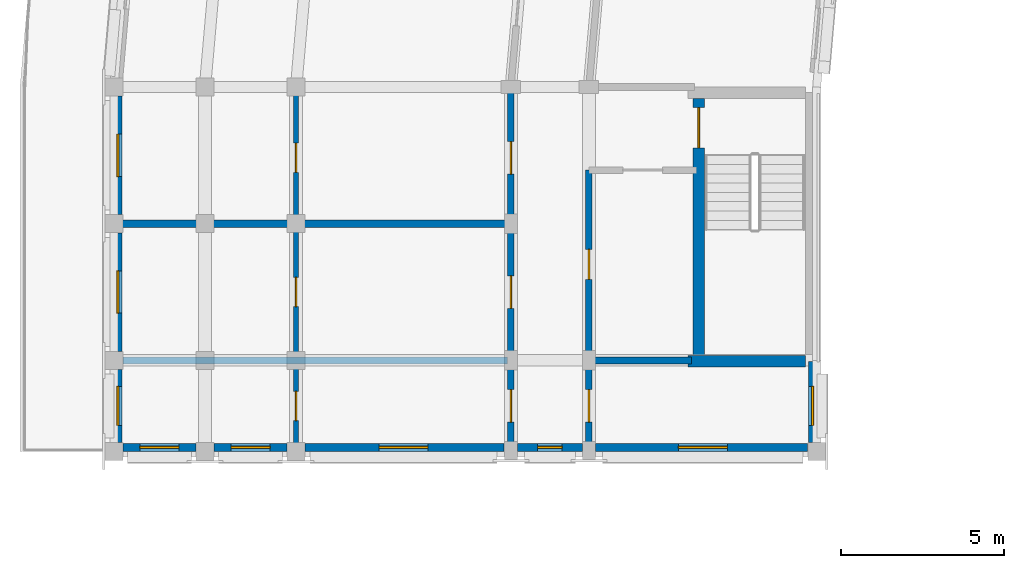
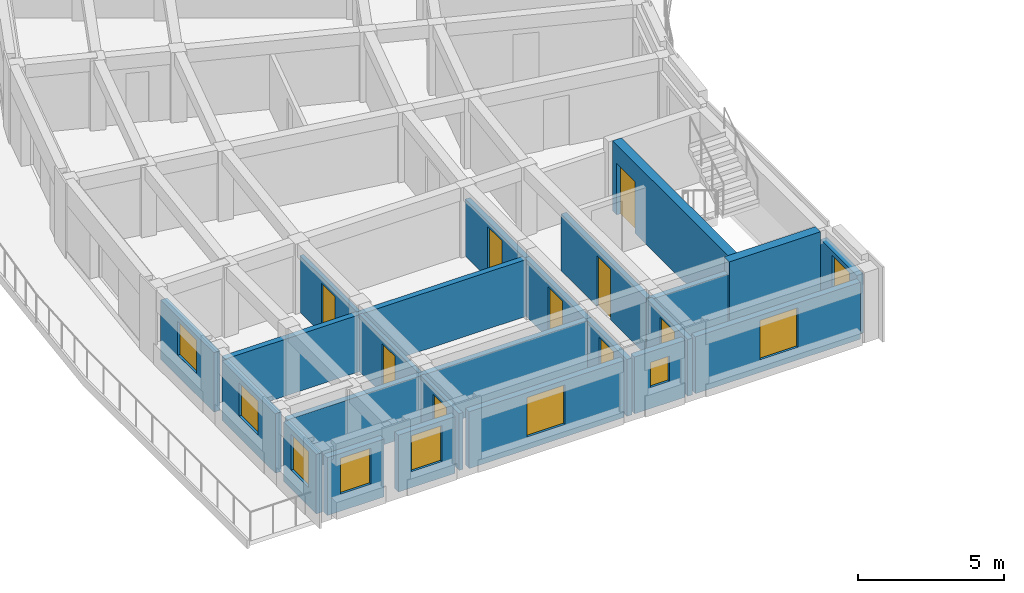
# One storey, part 10 of 23: 22 walls, 9 doors, 9 windows, 18 openings.
"""IFC4 building model written with IfcOpenShell, lengths in metres."""

import ifcopenshell
import ifcopenshell.guid

model = None  # the IFC model being written
_history = None  # IfcOwnerHistory: only IFC2X3 demands one
_inside = {}  # id of a spatial element -> (the spatial element, [elements in it])
_under = {}  # id of a project, library or spatial element -> (it, [spatial elements below it])
_declared = {}  # id of a project -> (the project, [libraries it declares])
_typed = {}  # id of a type object -> (the type object, [elements of that type])
_made_of = {}  # id of a material, layer set ... -> (it, [elements and type objects made of it])


def new_model(schema):
    """Start an empty IFC model of exactly this schema.

    Asked for "IFC4X3", IfcOpenShell would pick the latest addendum, in which some entities
    have other attributes; the version numbers below select the first issue.
    IFC2X3 requires an IfcOwnerHistory on every rooted entity: one is made here for all.
    """
    global model, _history
    if schema == "IFC4X3":
        model = ifcopenshell.file(schema_version=(4, 3, 0, 0))
    else:
        model = ifcopenshell.file(schema=schema)
    _inside.clear()
    _under.clear()
    _declared.clear()
    _typed.clear()
    _made_of.clear()
    _history = None
    if model.schema == "IFC2X3":
        org = make("IfcOrganization", Name="unknown")
        user = make(
            "IfcPersonAndOrganization",
            ThePerson=make("IfcPerson", FamilyName="unknown"),
            TheOrganization=org,
        )
        app = make(
            "IfcApplication",
            ApplicationDeveloper=org,
            Version="unknown",
            ApplicationFullName="unknown",
            ApplicationIdentifier="unknown",
        )
        _history = make(
            "IfcOwnerHistory",
            OwningUser=user,
            OwningApplication=app,
            ChangeAction="ADDED",
            CreationDate=0,
        )
    return model


def make(cls, **values):
    """One entity of the class cls with the attributes given. An attribute that is None is left unset."""
    return model.create_entity(
        cls, **{name: value for name, value in values.items() if value is not None}
    )


def rooted(cls, **values):
    """An entity with a GlobalId (a new one), such as an element, a storey or a relation."""
    return make(cls, GlobalId=ifcopenshell.guid.new(), OwnerHistory=_history, **values)


def si_unit(unit_type, name, prefix=None):
    """IfcSIUnit, for example si_unit("LENGTHUNIT", "METRE", prefix="MILLI")."""
    return make("IfcSIUnit", UnitType=unit_type, Prefix=prefix, Name=name)


def assignment(units):
    """IfcUnitAssignment: the units of a project."""
    return None if units is None else make("IfcUnitAssignment", Units=units)


def point(xyz):
    """IfcCartesianPoint."""
    return None if xyz is None else make("IfcCartesianPoint", Coordinates=xyz)


def direction(xyz):
    """IfcDirection."""
    return None if xyz is None else make("IfcDirection", DirectionRatios=xyz)


def frame(location, z_axis=None, x_axis=None):
    """IfcAxis2Placement3D, a coordinate frame: its origin and axes. An axis left out is left unset."""
    return make(
        "IfcAxis2Placement3D",
        Location=point(location),
        Axis=direction(z_axis),
        RefDirection=direction(x_axis),
    )


def frame_2d(location, x_axis=None):
    """IfcAxis2Placement2D, a coordinate frame in the plane: its origin and x axis."""
    return make(
        "IfcAxis2Placement2D", Location=point(location), RefDirection=direction(x_axis)
    )


def origin():
    """The frame at (0, 0, 0) with its axes left unset."""
    return frame((0.0, 0.0, 0.0))


def place(relative_to, where):
    """IfcLocalPlacement: puts the frame where relative to a parent placement (None: the world)."""
    return make(
        "IfcLocalPlacement", PlacementRelTo=relative_to, RelativePlacement=where
    )


def context(
    kind, dimensions, precision=None, world=None, true_north=None, identifier=None
):
    """IfcGeometricRepresentationContext, for example the 3D "Model" context."""
    return make(
        "IfcGeometricRepresentationContext",
        ContextIdentifier=identifier,
        ContextType=kind,
        CoordinateSpaceDimension=dimensions,
        Precision=precision,
        WorldCoordinateSystem=world,
        TrueNorth=true_north,
    )


def subcontext(parent, identifier, kind, view, scale=None):
    """IfcGeometricRepresentationSubContext, for example "Body" below "Model"."""
    return make(
        "IfcGeometricRepresentationSubContext",
        ContextIdentifier=identifier,
        ContextType=kind,
        ParentContext=parent,
        TargetScale=scale,
        TargetView=view,
    )


def project(units=None, contexts=None):
    """IfcProject with its units and contexts."""
    return rooted(
        "IfcProject",
        Name="project",
        RepresentationContexts=contexts,
        UnitsInContext=assignment(units),
    )


def spatial(cls, under=None, at=None, **own):
    """A site, building, storey or space (cls), placed at a placement, below another one or the project."""
    s = rooted(cls, ObjectPlacement=at, **own)
    if under is not None:
        _under.setdefault(under.id(), (under, []))[1].append(s)
    return s


def profile(cls, at=None, kind="AREA", **sizes):
    """A parametric profile (cls). Its sizes go by their IFC names, for example OverallWidth=200.0."""
    return make(cls, ProfileType=kind, Position=at, **sizes)


def rectangle(**sizes):
    """IfcRectangleProfileDef."""
    return profile("IfcRectangleProfileDef", **sizes)


def extrude(swept, where, along, depth):
    """IfcExtrudedAreaSolid: the profile swept, set in the frame where, extruded along a direction by depth."""
    return make(
        "IfcExtrudedAreaSolid",
        SweptArea=swept,
        Position=where,
        ExtrudedDirection=direction(along),
        Depth=depth,
    )


def shape(context_of_items, identifier, shape_type, items):
    """IfcShapeRepresentation: the items that make up one representation, for example the "Body"."""
    return make(
        "IfcShapeRepresentation",
        ContextOfItems=context_of_items,
        RepresentationIdentifier=identifier,
        RepresentationType=shape_type,
        Items=items,
    )


def material(Name=None, Category=None):
    """IfcMaterial."""
    return make("IfcMaterial", Name=Name, Category=Category)


def layer(
    of_material, thickness, ventilated=None, Name=None, Category=None, Priority=None
):
    """IfcMaterialLayer: one layer of a wall or slab, of a material (None: an air gap)."""
    return make(
        "IfcMaterialLayer",
        Material=of_material,
        LayerThickness=thickness,
        IsVentilated=ventilated,
        Name=Name,
        Category=Category,
        Priority=Priority,
    )


def layer_set(layers, Name=None):
    """IfcMaterialLayerSet."""
    return make("IfcMaterialLayerSet", MaterialLayers=layers, LayerSetName=Name)


def made_of(thing, what):
    """Note that an element or type object is made of a material, layer set ...; save() writes the relation."""
    if what is not None:
        _made_of.setdefault(what.id(), (what, []))[1].append(thing)
    return thing


def type_object(cls, material=None, **own):
    """A type object (cls), such as IfcWallType, which elements share."""
    return made_of(rooted(cls, **own), material)


def element(
    cls,
    number,
    at=None,
    inside=None,
    cuts=None,
    type_object=None,
    material=None,
    context=None,
    identifier="Body",
    shape_type=None,
    held_by="IfcProductDefinitionShape",
    body=None,
    shapes=None,
    **own,
):
    """One element of the class cls, such as IfcWall. Its Tag is "e" and its number.

    at: its placement. inside: the storey or other place that contains it. cuts: it is an
    opening in that element (IfcRelVoidsElement). A single representation is given by context,
    identifier, shape_type and body (its items); several are given by shapes. held_by: the class
    of the entity that holds the representations. save() writes the other relations.
    """
    e = rooted(cls, Tag="e%d" % number, ObjectPlacement=at, **own)
    if body is not None:
        shapes = [shape(context, identifier, shape_type, body)]
    if shapes is not None:
        e.Representation = make(held_by, Representations=shapes)
    if inside is not None:
        _inside.setdefault(inside.id(), (inside, []))[1].append(e)
    if cuts is not None:
        rooted(
            "IfcRelVoidsElement", RelatingBuildingElement=cuts, RelatedOpeningElement=e
        )
    if type_object is not None:
        _typed.setdefault(type_object.id(), (type_object, []))[1].append(e)
    return made_of(e, material)


def fill(opening, filler):
    """IfcRelFillsElement: the door or window that sits in an opening."""
    return rooted(
        "IfcRelFillsElement",
        RelatingOpeningElement=opening,
        RelatedBuildingElement=filler,
    )


def aggregate(whole, parts):
    """IfcRelAggregates: a whole, such as a stair, and the parts it consists of."""
    return rooted("IfcRelAggregates", RelatingObject=whole, RelatedObjects=parts)


def save(model, path):
    """Write the relations noted so far, then the file.

    IfcRelAggregates (storeys below a building ...), IfcRelContainedInSpatialStructure (elements
    in a storey), IfcRelDefinesByType, IfcRelAssociatesMaterial and IfcRelDeclares: one each for
    every whole, place, type object, material and project.
    """
    for whole, parts in _under.values():
        aggregate(whole, parts)
    for where, things in _inside.values():
        rooted(
            "IfcRelContainedInSpatialStructure",
            RelatedElements=things,
            RelatingStructure=where,
        )
    for kind, things in _typed.values():
        rooted("IfcRelDefinesByType", RelatedObjects=things, RelatingType=kind)
    for what, things in _made_of.values():
        rooted("IfcRelAssociatesMaterial", RelatedObjects=things, RelatingMaterial=what)
    for by, libraries in _declared.values():
        rooted("IfcRelDeclares", RelatingContext=by, RelatedDefinitions=libraries)
    model.write(path)


model = new_model("IFC4")

# Units and contexts
model_context = context("Model", 3, precision=1e-05, world=origin(), true_north=direction((0.0, 1.0)))
body_context = subcontext(model_context, "Body", "Model", "MODEL_VIEW")
ifc_project = project(units=[si_unit("LENGTHUNIT", "METRE"), si_unit("AREAUNIT", "SQUARE_METRE"), si_unit("VOLUMEUNIT", "CUBIC_METRE"), si_unit("PLANEANGLEUNIT", "RADIAN"), si_unit("MASSUNIT", "GRAM", prefix="KILO")], contexts=[model_context])

# Site, building, storey
site_placement = place(None, origin())
site = spatial("IfcSite", under=ifc_project, at=site_placement, CompositionType="ELEMENT")
building_placement = place(site_placement, origin())
building = spatial("IfcBuilding", under=site, at=building_placement, Name="Kiranvali Square Residences", CompositionType="ELEMENT")
storey_placement = place(building_placement, frame((0.0, 0.0, 43.35009765625)))
storey = spatial("IfcBuildingStorey", under=building, at=storey_placement, Name="L13", CompositionType="ELEMENT", Elevation=43.35009765625)

# Wall, opening, door
ifc_material_1 = material(Name="Autoclaved aerated concrete blockwork masonry", Category="masonry")
ifc_layer_1 = layer(ifc_material_1, 0.199951171875)
ifc_layer_set_1 = layer_set([ifc_layer_1], Name="Autoclaved aerated concrete blockwork masonry")
wall_type_1 = type_object("IfcWallType", Name="WL-COR-200", PredefinedType="STANDARD", material=ifc_layer_set_1)
wall_1_placement = place(storey_placement, frame((22.39990234375, 85.25, 0.0), z_axis=(0.0, 0.0, 1.0), x_axis=(0.0, -1.0, 0.0)))
wall_1 = element("IfcWall", 1, at=wall_1_placement, inside=storey, type_object=wall_type_1, Name="L13 architectural wall WL-L13-A-S3-COR", PredefinedType="STANDARD", context=body_context, shape_type="SweptSolid", body=[
    extrude(rectangle(XDim=5.800048828125, YDim=0.199951171875, at=frame_2d((2.89990234375, 0.0))), origin(), (0.0, 0.0, 1.0), 2.371826171875),
])
opening_1_placement = place(wall_1_placement, frame((2.43994140625, 0.0, 0.0)))
opening_1 = element("IfcOpeningElement", 2, at=opening_1_placement, cuts=wall_1, Name="Opening FD-SVC-120", PredefinedType="OPENING", context=body_context, shape_type="SweptSolid", body=[
    extrude(rectangle(XDim=0.919921875, YDim=2.10009765625, at=frame_2d((0.4599609375, 1.050048828125))), frame((0.0, 0.10986328125, 0.0), z_axis=(0.0, -1.0, 0.0), x_axis=(1.0, 0.0, 0.0)), (0.0, 0.0, 1.0), 0.219970703125),
])
ifc_material_2 = material(Name="Fire-rated acoustic hardwood and mineral-core door assembly", Category="wood")
door_type_1 = type_object("IfcDoorType", Name="DR-SVC-900", OperationType="NOTDEFINED", PredefinedType="DOOR", material=ifc_material_2)
door_1_placement = place(opening_1_placement, frame((0.919921875, 0.0, 0.0), z_axis=(0.0, 0.0, 1.0), x_axis=(-1.0, 0.0, 0.0)))
door_1 = element("IfcDoor", 3, at=door_1_placement, inside=storey, type_object=door_type_1, Name="L13 door DR-L13-0802 (DR-SVC-900)", OperationType="SINGLE_SWING_RIGHT", OverallHeight=2.10009765625, OverallWidth=0.919921875, PredefinedType="DOOR", context=body_context, shape_type="SweptSolid", body=[
    extrude(rectangle(XDim=0.919921875, YDim=2.10009765625, at=frame_2d((0.4599609375, 1.050048828125))), frame((0.0, 0.02490234375, 0.0), z_axis=(0.0, -1.0, 0.0), x_axis=(1.0, 0.0, 0.0)), (0.0, 0.0, 1.0), 0.050048828125),
])
fill(opening_1, door_1)

wall_2_placement = place(storey_placement, frame((20.0, 87.64990234375, 0.0), z_axis=(0.0, 0.0, 1.0), x_axis=(0.0, -1.0, 0.0)))
wall_2 = element("IfcWall", 4, at=wall_2_placement, inside=storey, type_object=wall_type_1, Name="L13 architectural wall WL-L13-A-A2CF-C0", PredefinedType="STANDARD", context=body_context, shape_type="SweptSolid", body=[
    extrude(rectangle(XDim=4.0498046875, YDim=0.199951171875, at=frame_2d((2.02490234375, 0.0))), origin(), (0.0, 0.0, 1.0), 2.371826171875),
])
opening_2_placement = place(wall_2_placement, frame((1.52490234375, 0.0, 0.0)))
opening_2 = element("IfcOpeningElement", 5, at=opening_2_placement, cuts=wall_2, Name="Opening FD-APT-60", PredefinedType="OPENING", context=body_context, shape_type="SweptSolid", body=[
    extrude(rectangle(XDim=1.0, YDim=2.14990234375, at=frame_2d((0.5, 1.074951171875))), frame((0.0, 0.10986328125, 0.0), z_axis=(0.0, -1.0, 0.0), x_axis=(1.0, 0.0, 0.0)), (0.0, 0.0, 1.0), 0.219970703125),
])
door_type_2 = type_object("IfcDoorType", Name="DR-APT-1000", OperationType="NOTDEFINED", PredefinedType="DOOR", material=ifc_material_2)
door_2_placement = place(opening_2_placement, origin())
door_2 = element("IfcDoor", 6, at=door_2_placement, inside=storey, type_object=door_type_2, Name="L13 door DR-L13-0841 (DR-APT-1000)", OperationType="SINGLE_SWING_LEFT", OverallHeight=2.14990234375, OverallWidth=1.0, PredefinedType="DOOR", context=body_context, shape_type="SweptSolid", body=[
    extrude(rectangle(XDim=1.0, YDim=2.14990234375, at=frame_2d((0.5, 1.074951171875))), frame((0.0, 0.02490234375, 0.0), z_axis=(0.0, -1.0, 0.0), x_axis=(1.0, 0.0, 0.0)), (0.0, 0.0, 1.0), 0.050048828125),
])
fill(opening_2, door_2)

wall_3_placement = place(storey_placement, frame((20.0, 83.60009765625, 0.0), z_axis=(0.0, 0.0, 1.0), x_axis=(0.0, -1.0, 0.0)))
wall_3 = element("IfcWall", 7, at=wall_3_placement, inside=storey, type_object=wall_type_1, Name="L13 architectural wall WL-L13-A-A2CF-C1", PredefinedType="STANDARD", context=body_context, shape_type="SweptSolid", body=[
    extrude(rectangle(XDim=4.2001953125, YDim=0.199951171875, at=frame_2d((2.10009765625, 0.0))), origin(), (0.0, 0.0, 1.0), 2.371826171875),
])
opening_3_placement = place(wall_3_placement, frame((1.60009765625, 0.0, 0.0)))
opening_3 = element("IfcOpeningElement", 8, at=opening_3_placement, cuts=wall_3, Name="Opening FD-APT-60", PredefinedType="OPENING", context=body_context, shape_type="SweptSolid", body=[
    extrude(rectangle(XDim=1.0, YDim=2.14990234375, at=frame_2d((0.5, 1.074951171875))), frame((0.0, 0.10986328125, 0.0), z_axis=(0.0, -1.0, 0.0), x_axis=(1.0, 0.0, 0.0)), (0.0, 0.0, 1.0), 0.219970703125),
])
door_3_placement = place(opening_3_placement, origin())
door_3 = element("IfcDoor", 9, at=door_3_placement, inside=storey, type_object=door_type_2, Name="L13 door DR-L13-0843 (DR-APT-1000)", OperationType="SINGLE_SWING_LEFT", OverallHeight=2.14990234375, OverallWidth=1.0, PredefinedType="DOOR", context=body_context, shape_type="SweptSolid", body=[
    extrude(rectangle(XDim=1.0, YDim=2.14990234375, at=frame_2d((0.5, 1.074951171875))), frame((0.0, 0.02490234375, 0.0), z_axis=(0.0, -1.0, 0.0), x_axis=(1.0, 0.0, 0.0)), (0.0, 0.0, 1.0), 0.050048828125),
])
fill(opening_3, door_3)

wall_4_placement = place(storey_placement, frame((22.39990234375, 79.39990234375, 0.0), z_axis=(0.0, 0.0, 1.0), x_axis=(0.0, -1.0, 0.0)))
wall_4 = element("IfcWall", 10, at=wall_4_placement, inside=storey, type_object=wall_type_1, Name="L13 architectural wall WL-L13-A-A2CI-0", PredefinedType="STANDARD", context=body_context, shape_type="SweptSolid", body=[
    extrude(rectangle(XDim=2.7998046875, YDim=0.199951171875, at=frame_2d((1.39990234375, 0.0))), origin(), (0.0, 0.0, 1.0), 2.371826171875),
])
opening_4_placement = place(wall_4_placement, frame((0.89990234375, 0.0, 0.0)))
opening_4 = element("IfcOpeningElement", 11, at=opening_4_placement, cuts=wall_4, Name="Opening FD-APT-60", PredefinedType="OPENING", context=body_context, shape_type="SweptSolid", body=[
    extrude(rectangle(XDim=1.0, YDim=2.14990234375, at=frame_2d((0.5, 1.074951171875))), frame((0.0, 0.10986328125, 0.0), z_axis=(0.0, -1.0, 0.0), x_axis=(1.0, 0.0, 0.0)), (0.0, 0.0, 1.0), 0.219970703125),
])
door_4_placement = place(opening_4_placement, origin())
door_4 = element("IfcDoor", 12, at=door_4_placement, inside=storey, type_object=door_type_2, Name="L13 door DR-L13-0845 (DR-APT-1000)", OperationType="SINGLE_SWING_LEFT", OverallHeight=2.14990234375, OverallWidth=1.0, PredefinedType="DOOR", context=body_context, shape_type="SweptSolid", body=[
    extrude(rectangle(XDim=1.0, YDim=2.14990234375, at=frame_2d((0.5, 1.074951171875))), frame((0.0, 0.02490234375, 0.0), z_axis=(0.0, -1.0, 0.0), x_axis=(1.0, 0.0, 0.0)), (0.0, 0.0, 1.0), 0.050048828125),
])
fill(opening_4, door_4)

wall_5_placement = place(storey_placement, frame((20.0, 79.39990234375, 0.0), z_axis=(0.0, 0.0, 1.0), x_axis=(0.0, -1.0, 0.0)))
wall_5 = element("IfcWall", 13, at=wall_5_placement, inside=storey, type_object=wall_type_1, Name="L13 architectural wall WL-L13-A-A2CO-0", PredefinedType="STANDARD", context=body_context, shape_type="SweptSolid", body=[
    extrude(rectangle(XDim=2.7998046875, YDim=0.199951171875, at=frame_2d((1.39990234375, 0.0))), origin(), (0.0, 0.0, 1.0), 2.371826171875),
])
opening_5_placement = place(wall_5_placement, frame((0.89990234375, 0.0, 0.0)))
opening_5 = element("IfcOpeningElement", 14, at=opening_5_placement, cuts=wall_5, Name="Opening FD-APT-60", PredefinedType="OPENING", context=body_context, shape_type="SweptSolid", body=[
    extrude(rectangle(XDim=1.0, YDim=2.14990234375, at=frame_2d((0.5, 1.074951171875))), frame((0.0, 0.10986328125, 0.0), z_axis=(0.0, -1.0, 0.0), x_axis=(1.0, 0.0, 0.0)), (0.0, 0.0, 1.0), 0.219970703125),
])
door_5_placement = place(opening_5_placement, origin())
door_5 = element("IfcDoor", 15, at=door_5_placement, inside=storey, type_object=door_type_2, Name="L13 door DR-L13-0847 (DR-APT-1000)", OperationType="SINGLE_SWING_LEFT", OverallHeight=2.14990234375, OverallWidth=1.0, PredefinedType="DOOR", context=body_context, shape_type="SweptSolid", body=[
    extrude(rectangle(XDim=1.0, YDim=2.14990234375, at=frame_2d((0.5, 1.074951171875))), frame((0.0, 0.02490234375, 0.0), z_axis=(0.0, -1.0, 0.0), x_axis=(1.0, 0.0, 0.0)), (0.0, 0.0, 1.0), 0.050048828125),
])
fill(opening_5, door_5)

# Walls
ifc_layer_2 = layer(ifc_material_1, 0.219970703125)
ifc_layer_set_2 = layer_set([ifc_layer_2], Name="Autoclaved aerated concrete blockwork masonry")
wall_type_2 = type_object("IfcWallType", Name="WL-DEM-220", PredefinedType="STANDARD", material=ifc_layer_set_2)
wall_6_placement = place(storey_placement, frame((19.949951171875, 83.60009765625, 0.0), z_axis=(0.0, 0.0, 1.0), x_axis=(-1.0, 0.0, 0.0)))
element("IfcWall", 16, at=wall_6_placement, inside=storey, type_object=wall_type_2, Name="L13 architectural wall WL-L13-A-A2CF-MID", PredefinedType="STANDARD", context=body_context, shape_type="SweptSolid", body=[
    extrude(rectangle(XDim=11.929931640625, YDim=0.219970703125, at=frame_2d((5.96484375, 0.0))), origin(), (0.0, 0.0, 1.0), 2.371826171875),
])
wall_7_placement = place(storey_placement, frame((25.550048828125, 79.39990234375, 0.0), z_axis=(0.0, 0.0, 1.0), x_axis=(-1.0, 0.0, 0.0)))
element("IfcWall", 17, at=wall_7_placement, inside=storey, type_object=wall_type_2, Name="L13 architectural wall WL-L13-A-A2TI-0", PredefinedType="STANDARD", context=body_context, shape_type="SweptSolid", body=[
    extrude(rectangle(XDim=3.10009765625, YDim=0.219970703125, at=frame_2d((1.550048828125, 0.0))), origin(), (0.0, 0.0, 1.0), 2.371826171875),
])
wall_8_placement = place(storey_placement, frame((19.89990234375, 79.39990234375, 0.0), z_axis=(0.0, 0.0, 1.0), x_axis=(-1.0, 0.0, 0.0)))
element("IfcWall", 18, at=wall_8_placement, inside=storey, type_object=wall_type_2, Name="L13 architectural wall WL-L13-A-A2TO-0", PredefinedType="STANDARD", context=body_context, shape_type="SweptSolid", body=[
    extrude(rectangle(XDim=11.81982421875, YDim=0.219970703125, at=frame_2d((5.909912109375, 0.0))), origin(), (0.0, 0.0, 1.0), 2.371826171875),
])

# Wall, opening, window
ifc_material_3 = material(Name="Breathable lime-rendered clay brick masonry", Category="masonry")
ifc_layer_3 = layer(ifc_material_3, 0.25)
ifc_layer_set_3 = layer_set([ifc_layer_3], Name="Breathable lime-rendered clay brick masonry")
wall_type_3 = type_object("IfcWallType", Name="WL-EXT-250", PredefinedType="STANDARD", material=ifc_layer_set_3)
wall_9_placement = place(storey_placement, frame((7.925048828125, 87.521484375, 0.0), z_axis=(0.0, 0.0, 1.0), x_axis=(0.0, -1.0, 0.0)))
wall_9 = element("IfcWall", 19, at=wall_9_placement, inside=storey, type_object=wall_type_3, Name="L13 exterior wall A-L13-A2O-0", PredefinedType="STANDARD", context=body_context, shape_type="SweptSolid", body=[
    extrude(rectangle(XDim=3.64306640625, YDim=0.25, at=frame_2d((1.821533203125, 0.0))), origin(), (0.0, 0.0, 1.0), 2.47998046875),
])
opening_6_placement = place(wall_9_placement, frame((1.17138671875, 0.0, 0.8798828125)))
opening_6 = element("IfcOpeningElement", 20, at=opening_6_placement, cuts=wall_9, Name="Opening W-23", PredefinedType="OPENING", context=body_context, shape_type="SweptSolid", body=[
    extrude(rectangle(XDim=1.300048828125, YDim=1.39990234375, at=frame_2d((0.64990234375, 0.699951171875))), frame((0.0, 0.135009765625, 0.0), z_axis=(0.0, -1.0, 0.0), x_axis=(1.0, 0.0, 0.0)), (0.0, 0.0, 1.0), 0.27001953125),
])
ifc_material_4 = material(Name="Solar-control low-e double glazing", Category="glass")
window_type_1 = type_object("IfcWindowType", Name="WIN-COR-1300x1400", PartitioningType="DOUBLE_PANEL_HORIZONTAL", PredefinedType="WINDOW", material=ifc_material_4)
window_1_placement = place(opening_6_placement, origin())
window_1 = element("IfcWindow", 21, at=window_1_placement, inside=storey, type_object=window_type_1, Name="L13 recessed window A-L13-A2O-0", OverallHeight=1.39990234375, OverallWidth=1.300048828125, PartitioningType="DOUBLE_PANEL_HORIZONTAL", PredefinedType="WINDOW", context=body_context, shape_type="SweptSolid", body=[
    extrude(rectangle(XDim=1.300048828125, YDim=1.39990234375, at=frame_2d((0.64990234375, 0.699951171875))), frame((0.0, 0.030029296875, 0.0), z_axis=(0.0, -1.0, 0.0), x_axis=(1.0, 0.0, 0.0)), (0.0, 0.0, 1.0), 0.06005859375),
])
fill(opening_6, window_1)

wall_10_placement = place(storey_placement, frame((7.925048828125, 83.321533203125, 0.0), z_axis=(0.0, 0.0, 1.0), x_axis=(0.0, -1.0, 0.0)))
wall_10 = element("IfcWall", 22, at=wall_10_placement, inside=storey, type_object=wall_type_3, Name="L13 exterior wall A-L13-A2O-1", PredefinedType="STANDARD", context=body_context, shape_type="SweptSolid", body=[
    extrude(rectangle(XDim=3.64306640625, YDim=0.25, at=frame_2d((1.821533203125, 0.0))), origin(), (0.0, 0.0, 1.0), 2.47998046875),
])
opening_7_placement = place(wall_10_placement, frame((1.17138671875, 0.0, 0.8798828125)))
opening_7 = element("IfcOpeningElement", 23, at=opening_7_placement, cuts=wall_10, Name="Opening W-23", PredefinedType="OPENING", context=body_context, shape_type="SweptSolid", body=[
    extrude(rectangle(XDim=1.300048828125, YDim=1.39990234375, at=frame_2d((0.64990234375, 0.699951171875))), frame((0.0, 0.135009765625, 0.0), z_axis=(0.0, -1.0, 0.0), x_axis=(1.0, 0.0, 0.0)), (0.0, 0.0, 1.0), 0.27001953125),
])
window_2_placement = place(opening_7_placement, origin())
window_2 = element("IfcWindow", 24, at=window_2_placement, inside=storey, type_object=window_type_1, Name="L13 recessed window A-L13-A2O-1", OverallHeight=1.39990234375, OverallWidth=1.300048828125, PartitioningType="DOUBLE_PANEL_HORIZONTAL", PredefinedType="WINDOW", context=body_context, shape_type="SweptSolid", body=[
    extrude(rectangle(XDim=1.300048828125, YDim=1.39990234375, at=frame_2d((0.64990234375, 0.699951171875))), frame((0.0, 0.030029296875, 0.0), z_axis=(0.0, -1.0, 0.0), x_axis=(1.0, 0.0, 0.0)), (0.0, 0.0, 1.0), 0.06005859375),
])
fill(opening_7, window_2)

wall_11_placement = place(storey_placement, frame((7.925048828125, 79.12158203125, 0.0), z_axis=(0.0, 0.0, 1.0), x_axis=(0.0, -1.0, 0.0)))
wall_11 = element("IfcWall", 25, at=wall_11_placement, inside=storey, type_object=wall_type_3, Name="L13 exterior wall A-L13-A2O-2", PredefinedType="STANDARD", context=body_context, shape_type="SweptSolid", body=[
    extrude(rectangle(XDim=2.2431640625, YDim=0.25, at=frame_2d((1.12158203125, 0.0))), origin(), (0.0, 0.0, 1.0), 2.47998046875),
])
opening_8_placement = place(wall_11_placement, frame((0.521484375, 0.0, 0.780029296875)))
opening_8 = element("IfcOpeningElement", 26, at=opening_8_placement, cuts=wall_11, Name="Opening W-06", PredefinedType="OPENING", context=body_context, shape_type="SweptSolid", body=[
    extrude(rectangle(XDim=1.199951171875, YDim=1.5, at=frame_2d((0.60009765625, 0.75))), frame((0.0, 0.135009765625, 0.0), z_axis=(0.0, -1.0, 0.0), x_axis=(1.0, 0.0, 0.0)), (0.0, 0.0, 1.0), 0.27001953125),
])
window_type_2 = type_object("IfcWindowType", Name="WIN-RES-1200x1500", PartitioningType="SINGLE_PANEL", PredefinedType="WINDOW", material=ifc_material_4)
window_3_placement = place(opening_8_placement, origin())
window_3 = element("IfcWindow", 27, at=window_3_placement, inside=storey, type_object=window_type_2, Name="L13 recessed window A-L13-A2O-2", OverallHeight=1.5, OverallWidth=1.199951171875, PartitioningType="SINGLE_PANEL", PredefinedType="WINDOW", context=body_context, shape_type="SweptSolid", body=[
    extrude(rectangle(XDim=1.199951171875, YDim=1.5, at=frame_2d((0.60009765625, 0.75))), frame((0.0, 0.030029296875, 0.0), z_axis=(0.0, -1.0, 0.0), x_axis=(1.0, 0.0, 0.0)), (0.0, 0.0, 1.0), 0.06005859375),
])
fill(opening_8, window_3)

wall_12_placement = place(storey_placement, frame((29.27490234375, 79.37158203125, 0.0), z_axis=(0.0, 0.0, 1.0), x_axis=(0.0, -1.0, 0.0)))
wall_12 = element("IfcWall", 28, at=wall_12_placement, inside=storey, type_object=wall_type_3, Name="L13 exterior wall A-L13-A2I-0", PredefinedType="STANDARD", context=body_context, shape_type="SweptSolid", body=[
    extrude(rectangle(XDim=2.4931640625, YDim=0.25, at=frame_2d((1.24658203125, 0.0))), origin(), (0.0, 0.0, 1.0), 2.471923828125),
])
opening_9_placement = place(wall_12_placement, frame((0.771484375, 0.0, 0.77197265625)))
opening_9 = element("IfcOpeningElement", 29, at=opening_9_placement, cuts=wall_12, Name="Opening W-06", PredefinedType="OPENING", context=body_context, shape_type="SweptSolid", body=[
    extrude(rectangle(XDim=1.199951171875, YDim=1.5, at=frame_2d((0.60009765625, 0.75))), frame((0.0, 0.135009765625, 0.0), z_axis=(0.0, -1.0, 0.0), x_axis=(1.0, 0.0, 0.0)), (0.0, 0.0, 1.0), 0.27001953125),
])
window_4_placement = place(opening_9_placement, origin())
window_4 = element("IfcWindow", 30, at=window_4_placement, inside=storey, type_object=window_type_2, Name="L13 recessed window A-L13-A2I-0", OverallHeight=1.5, OverallWidth=1.199951171875, PartitioningType="SINGLE_PANEL", PredefinedType="WINDOW", context=body_context, shape_type="SweptSolid", body=[
    extrude(rectangle(XDim=1.199951171875, YDim=1.5, at=frame_2d((0.60009765625, 0.75))), frame((0.0, 0.030029296875, 0.0), z_axis=(0.0, -1.0, 0.0), x_axis=(1.0, 0.0, 0.0)), (0.0, 0.0, 1.0), 0.06005859375),
])
fill(opening_9, window_4)

wall_13_placement = place(storey_placement, frame((29.12158203125, 76.72509765625, 0.0), z_axis=(0.0, 0.0, 1.0), x_axis=(-1.0, 0.0, 0.0)))
wall_13 = element("IfcWall", 31, at=wall_13_placement, inside=storey, type_object=wall_type_3, Name="L13 exterior wall A-L13-A2END-0", PredefinedType="STANDARD", context=body_context, shape_type="SweptSolid", body=[
    extrude(rectangle(XDim=6.51806640625, YDim=0.25, at=frame_2d((3.259033203125, 0.0))), origin(), (0.0, 0.0, 1.0), 2.371826171875),
])
opening_10_placement = place(wall_13_placement, frame((2.471435546875, 0.0, 0.52197265625)))
opening_10 = element("IfcOpeningElement", 32, at=opening_10_placement, cuts=wall_13, Name="Opening W-05", PredefinedType="OPENING", context=body_context, shape_type="SweptSolid", body=[
    extrude(rectangle(XDim=1.5, YDim=1.64990234375, at=frame_2d((0.75, 0.824951171875))), frame((0.0, 0.135009765625, 0.0), z_axis=(0.0, -1.0, 0.0), x_axis=(1.0, 0.0, 0.0)), (0.0, 0.0, 1.0), 0.27001953125),
])
window_type_3 = type_object("IfcWindowType", Name="WIN-RES-1500x1650", PartitioningType="DOUBLE_PANEL_VERTICAL", PredefinedType="WINDOW", material=ifc_material_4)
window_5_placement = place(opening_10_placement, origin())
window_5 = element("IfcWindow", 33, at=window_5_placement, inside=storey, type_object=window_type_3, Name="L13 recessed window A-L13-A2END-0", OverallHeight=1.64990234375, OverallWidth=1.5, PartitioningType="DOUBLE_PANEL_VERTICAL", PredefinedType="WINDOW", context=body_context, shape_type="SweptSolid", body=[
    extrude(rectangle(XDim=1.5, YDim=1.64990234375, at=frame_2d((0.75, 0.824951171875))), frame((0.0, 0.030029296875, 0.0), z_axis=(0.0, -1.0, 0.0), x_axis=(1.0, 0.0, 0.0)), (0.0, 0.0, 1.0), 0.06005859375),
])
fill(opening_10, window_5)

wall_14_placement = place(storey_placement, frame((22.196533203125, 76.72509765625, 0.0), z_axis=(0.0, 0.0, 1.0), x_axis=(-1.0, 0.0, 0.0)))
wall_14 = element("IfcWall", 34, at=wall_14_placement, inside=storey, type_object=wall_type_3, Name="L13 exterior wall A-L13-A2END-1", PredefinedType="STANDARD", context=body_context, shape_type="SweptSolid", body=[
    extrude(rectangle(XDim=1.992919921875, YDim=0.25, at=frame_2d((0.99658203125, 0.0))), origin(), (0.0, 0.0, 1.0), 2.371826171875),
])
opening_11_placement = place(wall_14_placement, frame((0.62158203125, 0.0, 0.8798828125)))
opening_11 = element("IfcOpeningElement", 35, at=opening_11_placement, cuts=wall_14, Name="Opening W-07", PredefinedType="OPENING", context=body_context, shape_type="SweptSolid", body=[
    extrude(rectangle(XDim=0.75, YDim=1.050048828125, at=frame_2d((0.375, 0.52490234375))), frame((0.0, 0.135009765625, 0.0), z_axis=(0.0, -1.0, 0.0), x_axis=(1.0, 0.0, 0.0)), (0.0, 0.0, 1.0), 0.27001953125),
])
window_type_4 = type_object("IfcWindowType", Name="WIN-WET-750x1050", PartitioningType="SINGLE_PANEL", PredefinedType="WINDOW", material=ifc_material_4)
window_6_placement = place(opening_11_placement, origin())
window_6 = element("IfcWindow", 36, at=window_6_placement, inside=storey, type_object=window_type_4, Name="L13 recessed window A-L13-A2END-1", OverallHeight=1.050048828125, OverallWidth=0.75, PartitioningType="SINGLE_PANEL", PredefinedType="WINDOW", context=body_context, shape_type="SweptSolid", body=[
    extrude(rectangle(XDim=0.75, YDim=1.050048828125, at=frame_2d((0.375, 0.52490234375))), frame((0.0, 0.030029296875, 0.0), z_axis=(0.0, -1.0, 0.0), x_axis=(1.0, 0.0, 0.0)), (0.0, 0.0, 1.0), 0.06005859375),
])
fill(opening_11, window_6)

wall_15_placement = place(storey_placement, frame((19.79638671875, 76.72509765625, 0.0), z_axis=(0.0, 0.0, 1.0), x_axis=(-1.0, 0.0, 0.0)))
wall_15 = element("IfcWall", 37, at=wall_15_placement, inside=storey, type_object=wall_type_3, Name="L13 exterior wall A-L13-A2END-2", PredefinedType="STANDARD", context=body_context, shape_type="SweptSolid", body=[
    extrude(rectangle(XDim=6.117919921875, YDim=0.25, at=frame_2d((3.05908203125, 0.0))), origin(), (0.0, 0.0, 1.0), 2.371826171875),
])
opening_12_placement = place(wall_15_placement, frame((2.346435546875, 0.0, 0.52197265625)))
opening_12 = element("IfcOpeningElement", 38, at=opening_12_placement, cuts=wall_15, Name="Opening W-05", PredefinedType="OPENING", context=body_context, shape_type="SweptSolid", body=[
    extrude(rectangle(XDim=1.5, YDim=1.64990234375, at=frame_2d((0.75, 0.824951171875))), frame((0.0, 0.135009765625, 0.0), z_axis=(0.0, -1.0, 0.0), x_axis=(1.0, 0.0, 0.0)), (0.0, 0.0, 1.0), 0.27001953125),
])
window_7_placement = place(opening_12_placement, origin())
window_7 = element("IfcWindow", 39, at=window_7_placement, inside=storey, type_object=window_type_3, Name="L13 recessed window A-L13-A2END-2", OverallHeight=1.64990234375, OverallWidth=1.5, PartitioningType="DOUBLE_PANEL_VERTICAL", PredefinedType="WINDOW", context=body_context, shape_type="SweptSolid", body=[
    extrude(rectangle(XDim=1.5, YDim=1.64990234375, at=frame_2d((0.75, 0.824951171875))), frame((0.0, 0.030029296875, 0.0), z_axis=(0.0, -1.0, 0.0), x_axis=(1.0, 0.0, 0.0)), (0.0, 0.0, 1.0), 0.06005859375),
])
fill(opening_12, window_7)

wall_16_placement = place(storey_placement, frame((13.12158203125, 76.72509765625, 0.0), z_axis=(0.0, 0.0, 1.0), x_axis=(-1.0, 0.0, 0.0)))
wall_16 = element("IfcWall", 40, at=wall_16_placement, inside=storey, type_object=wall_type_3, Name="L13 exterior wall A-L13-A2END-3", PredefinedType="STANDARD", context=body_context, shape_type="SweptSolid", body=[
    extrude(rectangle(XDim=2.2431640625, YDim=0.25, at=frame_2d((1.12158203125, 0.0))), origin(), (0.0, 0.0, 1.0), 2.371826171875),
])
opening_13_placement = place(wall_16_placement, frame((0.521484375, 0.0, 0.672119140625)))
opening_13 = element("IfcOpeningElement", 41, at=opening_13_placement, cuts=wall_16, Name="Opening W-06", PredefinedType="OPENING", context=body_context, shape_type="SweptSolid", body=[
    extrude(rectangle(XDim=1.199951171875, YDim=1.5, at=frame_2d((0.60009765625, 0.75))), frame((0.0, 0.135009765625, 0.0), z_axis=(0.0, -1.0, 0.0), x_axis=(1.0, 0.0, 0.0)), (0.0, 0.0, 1.0), 0.27001953125),
])
window_8_placement = place(opening_13_placement, origin())
window_8 = element("IfcWindow", 42, at=window_8_placement, inside=storey, type_object=window_type_2, Name="L13 recessed window A-L13-A2END-3", OverallHeight=1.5, OverallWidth=1.199951171875, PartitioningType="SINGLE_PANEL", PredefinedType="WINDOW", context=body_context, shape_type="SweptSolid", body=[
    extrude(rectangle(XDim=1.199951171875, YDim=1.5, at=frame_2d((0.60009765625, 0.75))), frame((0.0, 0.030029296875, 0.0), z_axis=(0.0, -1.0, 0.0), x_axis=(1.0, 0.0, 0.0)), (0.0, 0.0, 1.0), 0.06005859375),
])
fill(opening_13, window_8)

wall_17_placement = place(storey_placement, frame((10.321533203125, 76.72509765625, 0.0), z_axis=(0.0, 0.0, 1.0), x_axis=(-1.0, 0.0, 0.0)))
wall_17 = element("IfcWall", 43, at=wall_17_placement, inside=storey, type_object=wall_type_3, Name="L13 exterior wall A-L13-A2END-4", PredefinedType="STANDARD", context=body_context, shape_type="SweptSolid", body=[
    extrude(rectangle(XDim=2.242919921875, YDim=0.25, at=frame_2d((1.12158203125, 0.0))), origin(), (0.0, 0.0, 1.0), 2.411865234375),
])
opening_14_placement = place(wall_17_placement, frame((0.521484375, 0.0, 0.7119140625)))
opening_14 = element("IfcOpeningElement", 44, at=opening_14_placement, cuts=wall_17, Name="Opening W-06", PredefinedType="OPENING", context=body_context, shape_type="SweptSolid", body=[
    extrude(rectangle(XDim=1.199951171875, YDim=1.5, at=frame_2d((0.60009765625, 0.75))), frame((0.0, 0.135009765625, 0.0), z_axis=(0.0, -1.0, 0.0), x_axis=(1.0, 0.0, 0.0)), (0.0, 0.0, 1.0), 0.27001953125),
])
window_9_placement = place(opening_14_placement, origin())
window_9 = element("IfcWindow", 45, at=window_9_placement, inside=storey, type_object=window_type_2, Name="L13 recessed window A-L13-A2END-4", OverallHeight=1.5, OverallWidth=1.199951171875, PartitioningType="SINGLE_PANEL", PredefinedType="WINDOW", context=body_context, shape_type="SweptSolid", body=[
    extrude(rectangle(XDim=1.199951171875, YDim=1.5, at=frame_2d((0.60009765625, 0.75))), frame((0.0, 0.030029296875, 0.0), z_axis=(0.0, -1.0, 0.0), x_axis=(1.0, 0.0, 0.0)), (0.0, 0.0, 1.0), 0.06005859375),
])
fill(opening_14, window_9)

# Wall, opening, door
ifc_material_5 = material(Name="Acoustic gypsum board drylined partition", Category="gypsum")
ifc_layer_4 = layer(ifc_material_5, 0.14990234375)
ifc_layer_set_4 = layer_set([ifc_layer_4], Name="Acoustic gypsum board drylined partition")
wall_type_4 = type_object("IfcWallType", Name="WL-PRT-150", PredefinedType="PARTITIONING", material=ifc_layer_set_4)
wall_18_placement = place(storey_placement, frame((13.39990234375, 87.570068359375, 0.0), z_axis=(0.0, 0.0, 1.0), x_axis=(0.0, -1.0, 0.0)))
wall_18 = element("IfcWall", 46, at=wall_18_placement, inside=storey, type_object=wall_type_4, Name="L13 architectural wall WL-L13-A-A2CF-SP0", PredefinedType="PARTITIONING", context=body_context, shape_type="SweptSolid", body=[
    extrude(rectangle(XDim=3.89013671875, YDim=0.14990234375, at=frame_2d((1.945068359375, 0.0))), origin(), (0.0, 0.0, 1.0), 2.371826171875),
])
opening_15_placement = place(wall_18_placement, frame((1.4951171875, 0.0, 0.0)))
opening_15 = element("IfcOpeningElement", 47, at=opening_15_placement, cuts=wall_18, Name="Opening ID-1", PredefinedType="OPENING", context=body_context, shape_type="SweptSolid", body=[
    extrude(rectangle(XDim=0.89990234375, YDim=2.10009765625, at=frame_2d((0.449951171875, 1.050048828125))), frame((0.0, 0.0849609375, 0.0), z_axis=(0.0, -1.0, 0.0), x_axis=(1.0, 0.0, 0.0)), (0.0, 0.0, 1.0), 0.169921875),
])
ifc_material_6 = material(Name="Solid seasoned teak hardwood joinery", Category="wood")
door_type_3 = type_object("IfcDoorType", Name="DR-INT-900", OperationType="NOTDEFINED", PredefinedType="DOOR", material=ifc_material_6)
door_6_placement = place(opening_15_placement, frame((0.89990234375, 0.0, 0.0), z_axis=(0.0, 0.0, 1.0), x_axis=(-1.0, 0.0, 0.0)))
door_6 = element("IfcDoor", 48, at=door_6_placement, inside=storey, type_object=door_type_3, Name="L13 door DR-L13-0842 (DR-INT-900)", OperationType="SINGLE_SWING_RIGHT", OverallHeight=2.10009765625, OverallWidth=0.89990234375, PredefinedType="DOOR", context=body_context, shape_type="SweptSolid", body=[
    extrude(rectangle(XDim=0.89990234375, YDim=2.10009765625, at=frame_2d((0.449951171875, 1.050048828125))), frame((0.0, 0.02490234375, 0.0), z_axis=(0.0, -1.0, 0.0), x_axis=(1.0, 0.0, 0.0)), (0.0, 0.0, 1.0), 0.050048828125),
])
fill(opening_15, door_6)

wall_19_placement = place(storey_placement, frame((13.39990234375, 83.52001953125, 0.0), z_axis=(0.0, 0.0, 1.0), x_axis=(0.0, -1.0, 0.0)))
wall_19 = element("IfcWall", 49, at=wall_19_placement, inside=storey, type_object=wall_type_4, Name="L13 architectural wall WL-L13-A-A2CF-SP1", PredefinedType="PARTITIONING", context=body_context, shape_type="SweptSolid", body=[
    extrude(rectangle(XDim=4.0400390625, YDim=0.14990234375, at=frame_2d((2.02001953125, 0.0))), origin(), (0.0, 0.0, 1.0), 2.371826171875),
])
opening_16_placement = place(wall_19_placement, frame((1.570068359375, 0.0, 0.0)))
opening_16 = element("IfcOpeningElement", 50, at=opening_16_placement, cuts=wall_19, Name="Opening ID-1", PredefinedType="OPENING", context=body_context, shape_type="SweptSolid", body=[
    extrude(rectangle(XDim=0.89990234375, YDim=2.10009765625, at=frame_2d((0.449951171875, 1.050048828125))), frame((0.0, 0.0849609375, 0.0), z_axis=(0.0, -1.0, 0.0), x_axis=(1.0, 0.0, 0.0)), (0.0, 0.0, 1.0), 0.169921875),
])
door_7_placement = place(opening_16_placement, frame((0.89990234375, 0.0, 0.0), z_axis=(0.0, 0.0, 1.0), x_axis=(-1.0, 0.0, 0.0)))
door_7 = element("IfcDoor", 51, at=door_7_placement, inside=storey, type_object=door_type_3, Name="L13 door DR-L13-0844 (DR-INT-900)", OperationType="SINGLE_SWING_RIGHT", OverallHeight=2.10009765625, OverallWidth=0.89990234375, PredefinedType="DOOR", context=body_context, shape_type="SweptSolid", body=[
    extrude(rectangle(XDim=0.89990234375, YDim=2.10009765625, at=frame_2d((0.449951171875, 1.050048828125))), frame((0.0, 0.02490234375, 0.0), z_axis=(0.0, -1.0, 0.0), x_axis=(1.0, 0.0, 0.0)), (0.0, 0.0, 1.0), 0.050048828125),
])
fill(opening_16, door_7)

ifc_material_7 = material(Name="Concrete M45 (45 MPa)", Category="concrete")
ifc_layer_5 = layer(ifc_material_7, 0.320068359375)
ifc_layer_set_5 = layer_set([ifc_layer_5], Name="Concrete M45 (45 MPa)")
wall_type_5 = type_object("IfcWallType", Name="WL-SHR-320", PredefinedType="SHEAR", material=ifc_layer_set_5)
wall_20_placement = place(storey_placement, frame((25.77490234375, 87.449951171875, 0.0), z_axis=(0.0, 0.0, 1.0), x_axis=(0.0, -1.0, 0.0)))
wall_20 = element("IfcWall", 52, at=wall_20_placement, inside=storey, type_object=wall_type_5, Name="Block A core shear wall SW-A3-IN-L13", PredefinedType="SHEAR", context=body_context, shape_type="SweptSolid", body=[
    extrude(rectangle(XDim=7.89990234375, YDim=0.35009765625, at=frame_2d((3.949951171875, 0.0))), origin(), (0.0, 0.0, 1.0), 2.929931640625),
])
opening_17_placement = place(wall_20_placement, frame((0.280029296875, 0.0, 0.0)))
opening_17 = element("IfcOpeningElement", 53, at=opening_17_placement, cuts=wall_20, Name="Opening FD-ST-120", PredefinedType="OPENING", context=body_context, shape_type="SweptSolid", body=[
    extrude(rectangle(XDim=1.239990234375, YDim=2.14990234375, at=frame_2d((0.6201171875, 1.074951171875))), frame((0.0, 0.18505859375, 0.0), z_axis=(0.0, -1.0, 0.0), x_axis=(1.0, 0.0, 0.0)), (0.0, 0.0, 1.0), 0.3701171875),
])
door_type_4 = type_object("IfcDoorType", Name="DR-FD120-1200", OperationType="NOTDEFINED", PredefinedType="DOOR", material=ifc_material_2)
door_8_placement = place(opening_17_placement, origin())
door_8 = element("IfcDoor", 54, at=door_8_placement, inside=storey, type_object=door_type_4, Name="L13 door DR-L13-0797 (DR-FD120-1200)", OperationType="SINGLE_SWING_LEFT", OverallHeight=2.14990234375, OverallWidth=1.239990234375, PredefinedType="DOOR", context=body_context, shape_type="SweptSolid", body=[
    extrude(rectangle(XDim=1.239990234375, YDim=2.14990234375, at=frame_2d((0.6201171875, 1.074951171875))), frame((0.0, 0.02490234375, 0.0), z_axis=(0.0, -1.0, 0.0), x_axis=(1.0, 0.0, 0.0)), (0.0, 0.0, 1.0), 0.050048828125),
])
fill(opening_17, door_8)

# Wall
wall_21_placement = place(storey_placement, frame((29.050048828125, 79.375, 0.0), z_axis=(0.0, 0.0, 1.0), x_axis=(-1.0, 0.0, 0.0)))
element("IfcWall", 55, at=wall_21_placement, inside=storey, type_object=wall_type_5, Name="Block A core shear wall SW-A3-FAR-L13", PredefinedType="SHEAR", context=body_context, shape_type="SweptSolid", body=[
    extrude(rectangle(XDim=3.60009765625, YDim=0.35009765625, at=frame_2d((1.800048828125, 0.0))), origin(), (0.0, 0.0, 1.0), 2.929931640625),
])

# Wall, opening, door
ifc_layer_6 = layer(ifc_material_1, 0.14990234375)
ifc_layer_set_6 = layer_set([ifc_layer_6], Name="Autoclaved aerated concrete blockwork masonry")
wall_type_6 = type_object("IfcWallType", Name="WL-WET-150", PredefinedType="PLUMBINGWALL", material=ifc_layer_set_6)
wall_22_placement = place(storey_placement, frame((13.39990234375, 79.320068359375, 0.0), z_axis=(0.0, 0.0, 1.0), x_axis=(0.0, -1.0, 0.0)))
wall_22 = element("IfcWall", 56, at=wall_22_placement, inside=storey, type_object=wall_type_6, Name="L13 architectural wall WL-L13-A-A2SP-0", PredefinedType="PLUMBINGWALL", context=body_context, shape_type="SweptSolid", body=[
    extrude(rectangle(XDim=2.64013671875, YDim=0.14990234375, at=frame_2d((1.320068359375, 0.0))), origin(), (0.0, 0.0, 1.0), 2.371826171875),
])
opening_18_placement = place(wall_22_placement, frame((0.8701171875, 0.0, 0.0)))
opening_18 = element("IfcOpeningElement", 57, at=opening_18_placement, cuts=wall_22, Name="Opening ID-1", PredefinedType="OPENING", context=body_context, shape_type="SweptSolid", body=[
    extrude(rectangle(XDim=0.89990234375, YDim=2.10009765625, at=frame_2d((0.449951171875, 1.050048828125))), frame((0.0, 0.0849609375, 0.0), z_axis=(0.0, -1.0, 0.0), x_axis=(1.0, 0.0, 0.0)), (0.0, 0.0, 1.0), 0.169921875),
])
door_9_placement = place(opening_18_placement, frame((0.89990234375, 0.0, 0.0), z_axis=(0.0, 0.0, 1.0), x_axis=(-1.0, 0.0, 0.0)))
door_9 = element("IfcDoor", 58, at=door_9_placement, inside=storey, type_object=door_type_3, Name="L13 door DR-L13-0846 (DR-INT-900)", OperationType="SINGLE_SWING_RIGHT", OverallHeight=2.10009765625, OverallWidth=0.89990234375, PredefinedType="DOOR", context=body_context, shape_type="SweptSolid", body=[
    extrude(rectangle(XDim=0.89990234375, YDim=2.10009765625, at=frame_2d((0.449951171875, 1.050048828125))), frame((0.0, 0.02490234375, 0.0), z_axis=(0.0, -1.0, 0.0), x_axis=(1.0, 0.0, 0.0)), (0.0, 0.0, 1.0), 0.050048828125),
])
fill(opening_18, door_9)

save(model, "model.ifc")
